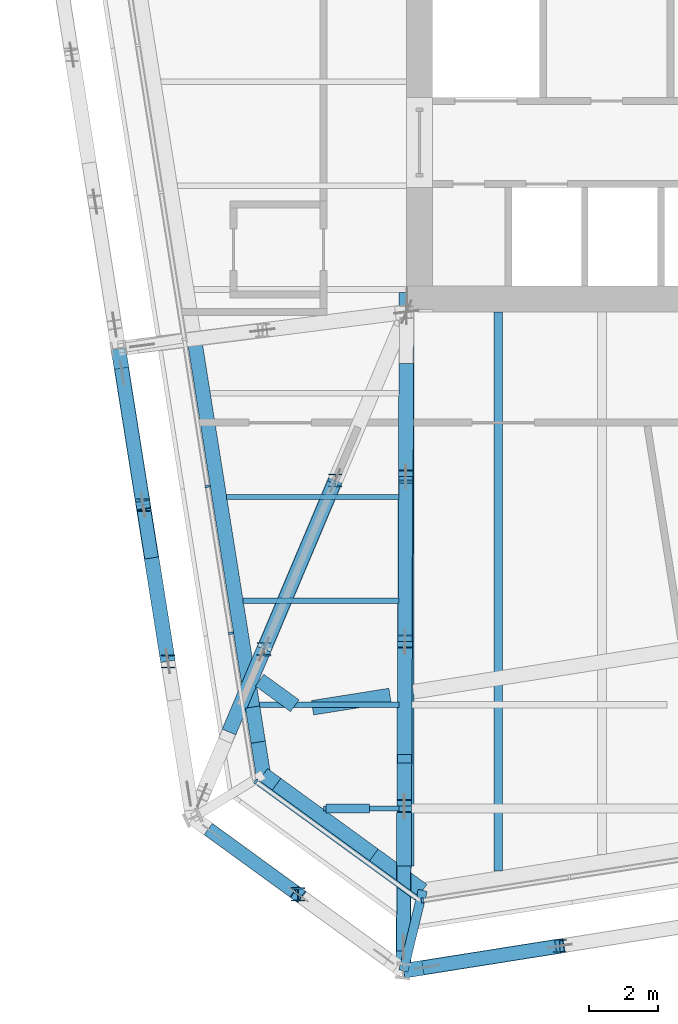
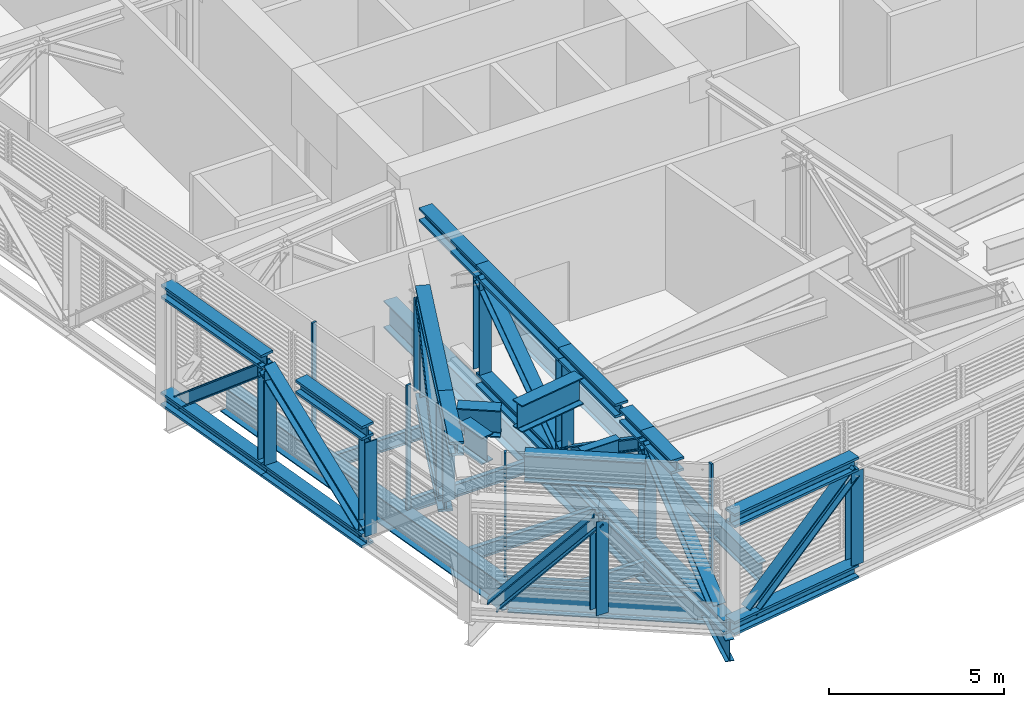
# One storey, part 2 of 31: 31 beams, 22 members, 3 elements without a shape of their own.
"""IFC4 building model written with IfcOpenShell, lengths in metres."""

from ifc_helpers import new_model, si_unit, direction, frame, origin, origin_2d, place, context, subcontext, project, spatial, rectangle, i_section, extrude, material, layer, layer_set, material_profile, profile_set, type_object, element, aggregate, save


model = new_model("IFC4")

# Units and contexts
model_context = context("Model", 3, precision=1e-05, world=origin(), true_north=direction((0.0, 1.0)))
body_context = subcontext(model_context, "Body", "Model", "MODEL_VIEW")
ifc_project = project(units=[si_unit("LENGTHUNIT", "METRE"), si_unit("AREAUNIT", "SQUARE_METRE"), si_unit("VOLUMEUNIT", "CUBIC_METRE"), si_unit("PLANEANGLEUNIT", "RADIAN"), si_unit("MASSUNIT", "GRAM", prefix="KILO")], contexts=[model_context])

# Site, building, storey
site_placement = place(None, origin())
site = spatial("IfcSite", under=ifc_project, at=site_placement, CompositionType="ELEMENT")
building_placement = place(site_placement, origin())
building = spatial("IfcBuilding", under=site, at=building_placement, Name="Millrace Tower", CompositionType="ELEMENT")
storey_placement = place(building_placement, frame((0.0, 0.0, 195.60009765625)))
storey = spatial("IfcBuildingStorey", under=building, at=storey_placement, Name="L44", CompositionType="ELEMENT", Elevation=195.60009765625)

# Beams
ifc_material_1 = material(Name="Steel ASTM A992 Grade 50", Category="steel")
ifc_material_profile_1 = material_profile(ifc_material_1, i_section(OverallWidth=0.4267578125, OverallDepth=0.482666015625, WebThickness=0.05126953125, FlangeThickness=0.08154296875, FilletRadius=0.01513671875, at=origin_2d()))
ifc_profile_set_1 = profile_set([ifc_material_profile_1], Name="Steel ASTM A992 Grade 50")
beam_type_1 = type_object("IfcBeamType", Name="Belt truss chord W14x455", PredefinedType="BEAM", material=ifc_profile_set_1)
for number, where, z_axis, x_axis, name in (
    (1, (-14.740966796875, -28.692626953125, 0.2412109375), (0.987689751328, 0.156425557764, 0.0), (-0.156425557764, 0.987689751328, 0.0), "BLT-L44-R02-B01"),
    (2, (-22.97705078125, -10.709716796875, 0.2412109375), (0.156425557764, -0.987689751328, 0.0), (0.987689751328, 0.156425557764, 0.0), "BLT-L44-R16-B01"),
    (3, (-22.26123046875, -15.2294921875, 0.2412109375), (0.156425557764, -0.987689751328, 0.0), (0.987689751328, 0.156425557764, 0.0), "BLT-L44-R16-B02"),
):
    element("IfcBeam", number, at=place(storey_placement, frame(where, z_axis=z_axis, x_axis=x_axis)), inside=storey, type_object=beam_type_1, Name=name, PredefinedType="BEAM", context=body_context, shape_type="SweptSolid", body=[
        extrude(i_section(OverallWidth=0.4267578125, OverallDepth=0.482666015625, WebThickness=0.05126953125, FlangeThickness=0.08154296875, FilletRadius=0.01513671875, at=origin_2d()), origin(), (0.0, 0.0, 1.0), 4.576171875),
    ])
for number, where, z_axis, x_axis, name in (
    (4, (-14.73095703125, -28.691162109375, 3.99853515625), (0.987685675151, 0.156451293065, 0.0), (-0.156451293065, 0.987685675151, 0.0), "BLT-L44-R02-T01"),
    (5, (-22.9755859375, -10.7197265625, 3.99853515625), (0.156451293065, -0.987685675151, 0.0), (0.987685675151, 0.156451293065, 0.0), "BLT-L44-R16-T01"),
):
    element("IfcBeam", number, at=place(storey_placement, frame(where, z_axis=z_axis, x_axis=x_axis)), inside=storey, type_object=beam_type_1, Name=name, PredefinedType="BEAM", context=body_context, shape_type="SweptSolid", body=[
        extrude(i_section(OverallWidth=0.4267578125, OverallDepth=0.482666015625, WebThickness=0.05126953125, FlangeThickness=0.08154296875, FilletRadius=0.01513671875, at=origin_2d()), origin(), (0.0, 0.0, 1.0), 4.56591796875),
    ])
beam_1_placement = place(storey_placement, frame((-22.018798828125, -16.760009765625, 3.99853515625), z_axis=(0.156414076564, -0.987691569597, 0.0), x_axis=(0.987691569597, 0.156414076564, 0.0)))
element("IfcBeam", 6, at=beam_1_placement, inside=storey, type_object=beam_type_1, Name="BLT-L44-R16-T02", PredefinedType="BEAM", context=body_context, shape_type="SweptSolid", body=[
    extrude(i_section(OverallWidth=0.4267578125, OverallDepth=0.482666015625, WebThickness=0.05126953125, FlangeThickness=0.08154296875, FilletRadius=0.01513671875, at=origin_2d()), origin(), (0.0, 0.0, 1.0), 3.026611328125),
])

# Members
ifc_material_2 = material(Name="Steel ASTM A992 Grade 50", Category="steel")
ifc_material_profile_2 = material_profile(ifc_material_2, i_section(OverallWidth=0.398681640625, OverallDepth=0.393798828125, WebThickness=0.022705078125, FlangeThickness=0.03662109375, FilletRadius=0.01513671875, at=origin_2d()))
ifc_profile_set_2 = profile_set([ifc_material_profile_2], Name="Steel ASTM A992 Grade 50")
member_type_1 = type_object("IfcMemberType", Name="Belt truss diagonal W14x193", PredefinedType="BRACE", material=ifc_profile_set_2)
member_1_placement = place(storey_placement, frame((-20.26318359375, -24.680419921875, 0.482421875), z_axis=(0.552620048987, -0.401534272047, 0.730329589863), x_axis=(0.587816204595, 0.808994505306, 0.0)))
element("IfcMember", 7, at=member_1_placement, inside=storey, type_object=member_type_1, Name="BLT-L44-R01-D01", PredefinedType="BRACE", context=body_context, shape_type="SweptSolid", body=[
    extrude(i_section(OverallWidth=0.398681640625, OverallDepth=0.393798828125, WebThickness=0.022705078125, FlangeThickness=0.03662109375, FilletRadius=0.01513671875, at=origin_2d()), origin(), (0.0, 0.0, 1.0), 4.484130859375),
])
member_2_placement = place(storey_placement, frame((-14.049560546875, -28.583251953125, 0.482421875), z_axis=(0.754452976838, 0.119511586918, 0.64538181438), x_axis=(-0.156457420202, 0.987684704581, 0.0)))
element("IfcMember", 8, at=member_2_placement, inside=storey, type_object=member_type_1, Name="BLT-L44-R02-D01", PredefinedType="BRACE", context=body_context, shape_type="SweptSolid", body=[
    extrude(i_section(OverallWidth=0.398681640625, OverallDepth=0.393798828125, WebThickness=0.022705078125, FlangeThickness=0.03662109375, FilletRadius=0.01513671875, at=origin_2d()), origin(), (0.0, 0.0, 1.0), 5.074462890625),
])
member_3_placement = place(storey_placement, frame((-22.867431640625, -11.401123046875, 0.482421875), z_axis=(0.119464161147, -0.754457314112, 0.645385524616), x_axis=(0.987694436043, 0.156395975046, 0.0)))
element("IfcMember", 9, at=member_3_placement, inside=storey, type_object=member_type_1, Name="BLT-L44-R16-D01", PredefinedType="BRACE", context=body_context, shape_type="SweptSolid", body=[
    extrude(i_section(OverallWidth=0.398681640625, OverallDepth=0.393798828125, WebThickness=0.022705078125, FlangeThickness=0.03662109375, FilletRadius=0.01513671875, at=origin_2d()), origin(), (0.0, 0.0, 1.0), 5.07421875),
])
member_4_placement = place(storey_placement, frame((-21.54541015625, -19.749267578125, 0.482421875), z_axis=(-0.127206441439, 0.803196742958, 0.581973808137), x_axis=(-0.987689751328, -0.156425557764, 0.0)))
element("IfcMember", 10, at=member_4_placement, inside=storey, type_object=member_type_1, Name="BLT-L44-R16-D02", PredefinedType="BRACE", context=body_context, shape_type="SweptSolid", body=[
    extrude(i_section(OverallWidth=0.398681640625, OverallDepth=0.393798828125, WebThickness=0.022705078125, FlangeThickness=0.03662109375, FilletRadius=0.01513671875, at=origin_2d()), origin(), (0.0, 0.0, 1.0), 5.627197265625),
])
ifc_material_3 = material(Name="Steel ASTM A992 Grade 50", Category="steel")
ifc_material_profile_3 = material_profile(ifc_material_3, i_section(OverallWidth=0.396240234375, OverallDepth=0.381103515625, WebThickness=0.018798828125, FlangeThickness=0.0302734375, FilletRadius=0.01513671875, at=origin_2d()))
ifc_profile_set_3 = profile_set([ifc_material_profile_3], Name="Steel ASTM A992 Grade 50")
member_type_2 = type_object("IfcMemberType", Name="Belt truss post W14x159", PredefinedType="POST", material=ifc_profile_set_3)
for number, where, z_axis, x_axis, name in (
    (11, (-17.78515625, -26.48095703125, 0.482421875), (0.0, 0.0, 1.0), (1.0, 0.0, 0.0), "BLT-L44-R01-V01"),
    (12, (-10.22119140625, -27.976806640625, 0.482421875), (0.0, 0.0, 1.0), (1.0, 0.0, 0.0), "BLT-L44-R02-V01"),
    (13, (-22.26123046875, -15.2294921875, 0.482421875), (0.0, 0.0, 1.0), (1.0, 0.0, 0.0), "BLT-L44-R16-V01"),
    (14, (-21.54541015625, -19.749267578125, 0.482421875), (0.0, 0.0, 1.0), (1.0, 0.0, 0.0), "BLT-L44-R16-V02"),
):
    element("IfcMember", number, at=place(storey_placement, frame(where, z_axis=z_axis, x_axis=x_axis)), inside=storey, type_object=member_type_2, Name=name, PredefinedType="POST", context=body_context, shape_type="SweptSolid", body=[
        extrude(i_section(OverallWidth=0.396240234375, OverallDepth=0.381103515625, WebThickness=0.018798828125, FlangeThickness=0.0302734375, FilletRadius=0.01513671875, at=origin_2d()), origin(), (0.0, 0.0, 1.0), 3.27490234375),
    ])

# Curtain wall, member
ifc_material_4 = material(Name="Aluminium and glass", Category="aluminium")
ifc_layer = layer(ifc_material_4, 0.14990234375)
ifc_layer_set = layer_set([ifc_layer], Name="Aluminium and glass")
curtain_wall_type = type_object("IfcCurtainWallType", Name="CW-5 truss and plant storey louvred infill", PredefinedType="NOTDEFINED", material=ifc_layer_set)
placement = place(storey_placement, origin())
curtain_wall_1 = element("IfcCurtainWall", 15, at=placement, inside=storey, type_object=curtain_wall_type, Name="Curtain wall C-F01 L44", PredefinedType="NOTDEFINED")
ifc_material_5 = material(Name="Aluminium", Category="aluminium")
ifc_material_profile_4 = material_profile(ifc_material_5, rectangle(XDim=0.06494140625, YDim=0.14990234375, at=origin_2d()))
ifc_profile_set_4 = profile_set([ifc_material_profile_4], Name="Aluminium")
member_type_3 = type_object("IfcMemberType", Name="CW-5 truss and plant storey louvred infill mullion", PredefinedType="MULLION", material=ifc_profile_set_4)
member_5_placement = place(storey_placement, frame((-19.00146484375, -23.2177734375, 0.139892578125), z_axis=(0.0, 0.0, 1.0), x_axis=(0.809016981623, -0.587785269844, 0.0)))
member_5 = element("IfcMember", 16, at=member_5_placement, type_object=member_type_3, Name="CW5 mullion C-F01.1", PredefinedType="MULLION", context=body_context, shape_type="SweptSolid", body=[
    extrude(rectangle(XDim=0.06494140625, YDim=0.14990234375, at=origin_2d()), origin(), (0.0, 0.0, 1.0), 4.360107421875),
])

curtain_wall_2 = element("IfcCurtainWall", 17, at=placement, inside=storey, type_object=curtain_wall_type, Name="Curtain wall C-F02 L44", PredefinedType="NOTDEFINED")
member_6_placement = place(storey_placement, frame((-14.191650390625, -26.65673828125, 0.139892578125), z_axis=(0.0, 0.0, 1.0), x_axis=(0.98768833929, 0.15643447328, 0.0)))
member_6 = element("IfcMember", 18, at=member_6_placement, type_object=member_type_3, Name="CW5 mullion C-F02.1", PredefinedType="MULLION", context=body_context, shape_type="SweptSolid", body=[
    extrude(rectangle(XDim=0.06494140625, YDim=0.14990234375, at=origin_2d()), origin(), (0.0, 0.0, 1.0), 4.360107421875),
])
aggregate(curtain_wall_2, [member_6])

# Curtain wall, members
curtain_wall_3 = element("IfcCurtainWall", 19, at=placement, inside=storey, type_object=curtain_wall_type, Name="Curtain wall C-F08 L44", PredefinedType="NOTDEFINED")
member_7_placement = place(storey_placement, frame((-20.39794921875, -14.687744140625, 0.139892578125), z_axis=(0.0, 0.0, 1.0), x_axis=(0.15643447328, -0.98768833929, 0.0)))
member_7 = element("IfcMember", 20, at=member_7_placement, type_object=member_type_3, Name="CW5 mullion C-F08.8", PredefinedType="MULLION", context=body_context, shape_type="SweptSolid", body=[
    extrude(rectangle(XDim=0.06494140625, YDim=0.14990234375, at=origin_2d()), origin(), (0.0, 0.0, 1.0), 4.199951171875),
])
member_8_placement = place(storey_placement, frame((-19.725341796875, -18.934814453125, 0.139892578125), z_axis=(0.0, 0.0, 1.0), x_axis=(0.15643447328, -0.98768833929, 0.0)))
member_8 = element("IfcMember", 21, at=member_8_placement, type_object=member_type_3, Name="CW5 mullion C-F08.9", PredefinedType="MULLION", context=body_context, shape_type="SweptSolid", body=[
    extrude(rectangle(XDim=0.06494140625, YDim=0.14990234375, at=origin_2d()), origin(), (0.0, 0.0, 1.0), 4.360107421875),
])
aggregate(curtain_wall_3, [member_7, member_8])

# Member
ifc_material_6 = material(Name="Aluminium", Category="aluminium")
ifc_material_profile_5 = material_profile(ifc_material_6, rectangle(XDim=0.14990234375, YDim=0.139892578125, at=origin_2d()))
ifc_profile_set_5 = profile_set([ifc_material_profile_5], Name="Aluminium")
member_type_4 = type_object("IfcMemberType", Name="CW-5 truss and plant storey louvred infill transom", PredefinedType="USERDEFINED", material=ifc_profile_set_5)
member_9_placement = place(storey_placement, frame((-18.94677734375, -23.25732421875, 0.06982421875), z_axis=(0.808998591139, -0.587810581339, 0.0), x_axis=(0.587810581339, 0.808998591139, 0.0)))
member_9 = element("IfcMember", 22, at=member_9_placement, type_object=member_type_4, Name="CW5 transom C-F01.1", ObjectType="TRANSOM", PredefinedType="USERDEFINED", context=body_context, shape_type="SweptSolid", body=[
    extrude(rectangle(XDim=0.14990234375, YDim=0.139892578125, at=origin_2d()), origin(), (0.0, 0.0, 1.0), 5.6689453125),
])

aggregate(curtain_wall_1, [member_5, member_9])

# Beams
ifc_material_7 = material(Name="Steel ASTM A992 Grade 50", Category="steel")
ifc_material_profile_6 = material_profile(ifc_material_7, i_section(OverallWidth=0.15234375, OverallDepth=0.449462890625, WebThickness=0.007568359375, FlangeThickness=0.0107421875, FilletRadius=0.01025390625, at=origin_2d()))
ifc_profile_set_6 = profile_set([ifc_material_profile_6], Name="Steel ASTM A992 Grade 50")
beam_type_2 = type_object("IfcBeamType", Name="Floor beam W18x35", PredefinedType="JOIST", material=ifc_profile_set_6)
beam_2_placement = place(storey_placement, frame((-18.8955078125, -21.0, -0.474853515625), z_axis=(1.0, 0.0, 0.0), x_axis=(0.0, 1.0, 0.0)))
element("IfcBeam", 23, at=beam_2_placement, inside=storey, type_object=beam_type_2, Name="BM-C-L44-S1-S002", PredefinedType="JOIST", context=body_context, shape_type="SweptSolid", body=[
    extrude(i_section(OverallWidth=0.15234375, OverallDepth=0.449462890625, WebThickness=0.007568359375, FlangeThickness=0.0107421875, FilletRadius=0.01025390625, at=origin_2d()), origin(), (0.0, 0.0, 1.0), 4.033447265625),
])
beam_3_placement = place(storey_placement, frame((-19.37060546875, -18.0, -0.474853515625), z_axis=(1.0, 0.0, 0.0), x_axis=(0.0, 1.0, 0.0)))
element("IfcBeam", 24, at=beam_3_placement, inside=storey, type_object=beam_type_2, Name="BM-C-L44-S1-S004", PredefinedType="JOIST", context=body_context, shape_type="SweptSolid", body=[
    extrude(i_section(OverallWidth=0.15234375, OverallDepth=0.449462890625, WebThickness=0.007568359375, FlangeThickness=0.0107421875, FilletRadius=0.01025390625, at=origin_2d()), origin(), (0.0, 0.0, 1.0), 4.508544921875),
])
beam_4_placement = place(storey_placement, frame((-19.845703125, -15.0, -0.474853515625), z_axis=(1.0, 0.0, 0.0), x_axis=(0.0, 1.0, 0.0)))
element("IfcBeam", 25, at=beam_4_placement, inside=storey, type_object=beam_type_2, Name="BM-C-L44-S1-S006", PredefinedType="JOIST", context=body_context, shape_type="SweptSolid", body=[
    extrude(i_section(OverallWidth=0.15234375, OverallDepth=0.449462890625, WebThickness=0.007568359375, FlangeThickness=0.0107421875, FilletRadius=0.01025390625, at=origin_2d()), origin(), (0.0, 0.0, 1.0), 4.983642578125),
])
beam_5_placement = place(storey_placement, frame((-17.0517578125, -24.0, -0.474853515625), z_axis=(1.0, 0.0, 0.0), x_axis=(0.0, 1.0, 0.0)))
element("IfcBeam", 26, at=beam_5_placement, inside=storey, type_object=beam_type_2, Name="BM-C-L44-S1-S001", PredefinedType="JOIST", context=body_context, shape_type="SweptSolid", body=[
    extrude(i_section(OverallWidth=0.15234375, OverallDepth=0.449462890625, WebThickness=0.007568359375, FlangeThickness=0.0107421875, FilletRadius=0.01025390625, at=origin_2d()), origin(), (0.0, 0.0, 1.0), 2.189697265625),
])
ifc_material_8 = material(Name="Steel ASTM A992 Grade 50", Category="steel")
ifc_material_profile_7 = material_profile(ifc_material_8, i_section(OverallWidth=0.256591796875, OverallDepth=0.693359375, WebThickness=0.014404296875, FlangeThickness=0.023681640625, FilletRadius=0.01513671875, at=origin_2d()))
ifc_profile_set_7 = profile_set([ifc_material_profile_7], Name="Steel ASTM A992 Grade 50")
beam_type_3 = type_object("IfcBeamType", Name="Floor beam W27x114", PredefinedType="JOIST", material=ifc_profile_set_7)
beam_6_placement = place(storey_placement, frame((-12.0, -25.806640625, -0.596923828125), z_axis=(0.0, 1.0, 0.0), x_axis=(-1.0, 0.0, 0.0)))
element("IfcBeam", 27, at=beam_6_placement, inside=storey, type_object=beam_type_3, Name="BM-C-L44-S1-S040", PredefinedType="JOIST", context=body_context, shape_type="SweptSolid", body=[
    extrude(i_section(OverallWidth=0.256591796875, OverallDepth=0.693359375, WebThickness=0.014404296875, FlangeThickness=0.023681640625, FilletRadius=0.01513671875, at=origin_2d()), origin(), (0.0, 0.0, 1.0), 16.15673828125),
])
beam_7_placement = place(storey_placement, frame((-16.97998046875, -24.0, 3.9931640625), z_axis=(1.0, 0.0, 0.0), x_axis=(0.0, 1.0, 0.0)))
element("IfcBeam", 28, at=beam_7_placement, inside=storey, type_object=beam_type_3, Name="BM-C-L44-R1-S001-a", PredefinedType="JOIST", context=body_context, shape_type="SweptSolid", body=[
    extrude(i_section(OverallWidth=0.256591796875, OverallDepth=0.693359375, WebThickness=0.014404296875, FlangeThickness=0.023681640625, FilletRadius=0.01513671875, at=origin_2d()), origin(), (0.0, 0.0, 1.0), 1.25927734375),
])
ifc_material_9 = material(Name="Steel ASTM A992 Grade 50", Category="steel")
ifc_material_profile_8 = material_profile(ifc_material_9, i_section(OverallWidth=0.424072265625, OverallDepth=0.947509765625, WebThickness=0.02392578125, FlangeThickness=0.042724609375, FilletRadius=0.024169921875, at=origin_2d()))
ifc_profile_set_8 = profile_set([ifc_material_profile_8], Name="Steel ASTM A992 Grade 50")
beam_type_4 = type_object("IfcBeamType", Name="Girder medium span W36x302", PredefinedType="BEAM", material=ifc_profile_set_8)
beam_8_placement = place(storey_placement, frame((-14.64990234375, -25.665283203125, -0.723876953125), z_axis=(0.0, 1.0, 0.0), x_axis=(-1.0, 0.0, 0.0)))
element("IfcBeam", 29, at=beam_8_placement, inside=storey, type_object=beam_type_4, Name="BM-C-L44-S1-G058", PredefinedType="BEAM", context=body_context, shape_type="SweptSolid", body=[
    extrude(i_section(OverallWidth=0.424072265625, OverallDepth=0.947509765625, WebThickness=0.02392578125, FlangeThickness=0.042724609375, FilletRadius=0.024169921875, at=origin_2d()), origin(), (0.0, 0.0, 1.0), 16.579345703125),
])
ifc_material_10 = material(Name="Steel ASTM A992 Grade 50", Category="steel")
ifc_material_profile_9 = material_profile(ifc_material_10, i_section(OverallWidth=0.2666015625, OverallDepth=0.7568359375, WebThickness=0.013916015625, FlangeThickness=0.019287109375, FilletRadius=0.0166015625, at=origin_2d()))
ifc_profile_set_9 = profile_set([ifc_material_profile_9], Name="Steel ASTM A992 Grade 50")
beam_type_5 = type_object("IfcBeamType", Name="Link beam W30x108", PredefinedType="BEAM", material=ifc_profile_set_9)
beam_9_placement = place(storey_placement, frame((-14.182373046875, -26.36572265625, -0.628662109375), z_axis=(-0.233426972989, -0.97237433547, 0.0), x_axis=(0.97237433547, -0.233426972989, 0.0)))
element("IfcBeam", 30, at=beam_9_placement, inside=storey, type_object=beam_type_5, Name="LNK-C-L44-S1-16", PredefinedType="BEAM", context=body_context, shape_type="SweptSolid", body=[
    extrude(i_section(OverallWidth=0.2666015625, OverallDepth=0.7568359375, WebThickness=0.013916015625, FlangeThickness=0.019287109375, FilletRadius=0.0166015625, at=origin_2d()), origin(), (0.0, 0.0, 1.0), 2.39306640625),
])
ifc_material_11 = material(Name="Steel ASTM A992 Grade 50", Category="steel")
ifc_material_profile_10 = material_profile(ifc_material_11, i_section(OverallWidth=0.4267578125, OverallDepth=0.482666015625, WebThickness=0.05126953125, FlangeThickness=0.08154296875, FilletRadius=0.01513671875, at=origin_2d()))
ifc_profile_set_10 = profile_set([ifc_material_profile_10], Name="Steel ASTM A992 Grade 50")
beam_type_6 = type_object("IfcBeamType", Name="Outrigger truss chord W14x455", PredefinedType="BEAM", material=ifc_profile_set_10)
for number, where, z_axis, x_axis, name in (
    (31, (-16.709716796875, -14.52294921875, 0.2412109375), (-0.38934189697, -0.921093310835, 0.0), (0.921093310835, -0.38934189697, 0.0), "BLT-L44-O01-B02"),
    (32, (-16.709716796875, -14.52294921875, 3.99853515625), (-0.38934189697, -0.921093310835, 0.0), (0.921093310835, -0.38934189697, 0.0), "BLT-L44-O01-T02"),
):
    element("IfcBeam", number, at=place(storey_placement, frame(where, z_axis=z_axis, x_axis=x_axis)), inside=storey, type_object=beam_type_6, Name=name, PredefinedType="BEAM", context=body_context, shape_type="SweptSolid", body=[
        extrude(i_section(OverallWidth=0.4267578125, OverallDepth=0.482666015625, WebThickness=0.05126953125, FlangeThickness=0.08154296875, FilletRadius=0.01513671875, at=origin_2d()), origin(), (0.0, 0.0, 1.0), 5.29052734375),
    ])
for number, where, z_axis, x_axis, name in (
    (33, (-14.6728515625, -14.41064453125, 0.2412109375), (-0.004769176531, -0.999988627413, 0.0), (0.999988627413, -0.004769176531, 0.0), "BLT-L44-O02-B02"),
    (34, (-14.6728515625, -14.41064453125, 3.99853515625), (-0.004769176531, -0.999988627413, 0.0), (0.999988627413, -0.004769176531, 0.0), "BLT-L44-O02-T02"),
):
    element("IfcBeam", number, at=place(storey_placement, frame(where, z_axis=z_axis, x_axis=x_axis)), inside=storey, type_object=beam_type_6, Name=name, PredefinedType="BEAM", context=body_context, shape_type="SweptSolid", body=[
        extrude(i_section(OverallWidth=0.4267578125, OverallDepth=0.482666015625, WebThickness=0.05126953125, FlangeThickness=0.08154296875, FilletRadius=0.01513671875, at=origin_2d()), origin(), (0.0, 0.0, 1.0), 4.7607421875),
    ])
beam_10_placement = place(storey_placement, frame((-14.695556640625, -19.17138671875, 0.2412109375), z_axis=(-0.004769421111, -0.999988626246, 0.0), x_axis=(0.999988626246, -0.004769421111, 0.0)))
element("IfcBeam", 35, at=beam_10_placement, inside=storey, type_object=beam_type_6, Name="BLT-L44-O02-B03", PredefinedType="BEAM", context=body_context, shape_type="SweptSolid", body=[
    extrude(i_section(OverallWidth=0.4267578125, OverallDepth=0.482666015625, WebThickness=0.05126953125, FlangeThickness=0.08154296875, FilletRadius=0.01513671875, at=origin_2d()), origin(), (0.0, 0.0, 1.0), 4.760498046875),
])
beam_11_placement = place(storey_placement, frame((-14.71826171875, -23.931884765625, 0.2412109375), z_axis=(-0.004769176531, -0.999988627413, 0.0), x_axis=(0.999988627413, -0.004769176531, 0.0)))
element("IfcBeam", 36, at=beam_11_placement, inside=storey, type_object=beam_type_6, Name="BLT-L44-O02-B04", PredefinedType="BEAM", context=body_context, shape_type="SweptSolid", body=[
    extrude(i_section(OverallWidth=0.4267578125, OverallDepth=0.482666015625, WebThickness=0.05126953125, FlangeThickness=0.08154296875, FilletRadius=0.01513671875, at=origin_2d()), origin(), (0.0, 0.0, 1.0), 4.7607421875),
])
beam_12_placement = place(storey_placement, frame((-14.695556640625, -19.17138671875, 3.99853515625), z_axis=(-0.004713047078, -0.999988893532, 0.0), x_axis=(0.999988893532, -0.004713047078, 0.0)))
element("IfcBeam", 37, at=beam_12_placement, inside=storey, type_object=beam_type_6, Name="BLT-L44-O02-T03-a", PredefinedType="BEAM", context=body_context, shape_type="SweptSolid", body=[
    extrude(i_section(OverallWidth=0.4267578125, OverallDepth=0.482666015625, WebThickness=0.05126953125, FlangeThickness=0.08154296875, FilletRadius=0.01513671875, at=origin_2d()), origin(), (0.0, 0.0, 1.0), 3.263427734375),
])
beam_13_placement = place(storey_placement, frame((-14.712158203125, -22.69091796875, 3.99853515625), z_axis=(-0.004918295815, -0.99998790511, 0.0), x_axis=(0.99998790511, -0.004918295815, 0.0)))
element("IfcBeam", 38, at=beam_13_placement, inside=storey, type_object=beam_type_6, Name="BLT-L44-O02-T03-b", PredefinedType="BEAM", context=body_context, shape_type="SweptSolid", body=[
    extrude(i_section(OverallWidth=0.4267578125, OverallDepth=0.482666015625, WebThickness=0.05126953125, FlangeThickness=0.08154296875, FilletRadius=0.01513671875, at=origin_2d()), origin(), (0.0, 0.0, 1.0), 1.240966796875),
])
beam_14_placement = place(storey_placement, frame((-18.76953125, -19.39599609375, 3.99853515625), z_axis=(-0.389345801746, -0.921091660294, 0.0), x_axis=(0.921091660294, -0.389345801746, 0.0)))
element("IfcBeam", 39, at=beam_14_placement, inside=storey, type_object=beam_type_6, Name="BLT-L44-O01-T03-a", PredefinedType="BEAM", context=body_context, shape_type="SweptSolid", body=[
    extrude(i_section(OverallWidth=0.4267578125, OverallDepth=0.482666015625, WebThickness=0.05126953125, FlangeThickness=0.08154296875, FilletRadius=0.01513671875, at=origin_2d()), origin(), (0.0, 0.0, 1.0), 2.59912109375),
])
beam_15_placement = place(storey_placement, frame((-14.656982421875, -11.134521484375, 3.99853515625), z_axis=(-0.004843821258, -0.999988268629, 0.0), x_axis=(0.999988268629, -0.004843821258, 0.0)))
element("IfcBeam", 40, at=beam_15_placement, inside=storey, type_object=beam_type_6, Name="BLT-L44-O02-T01", PredefinedType="BEAM", context=body_context, shape_type="SweptSolid", body=[
    extrude(i_section(OverallWidth=0.4267578125, OverallDepth=0.482666015625, WebThickness=0.05126953125, FlangeThickness=0.08154296875, FilletRadius=0.01513671875, at=origin_2d()), origin(), (0.0, 0.0, 1.0), 3.276123046875),
])
beam_16_placement = place(storey_placement, frame((-14.71826171875, -23.931884765625, 3.99853515625), z_axis=(-0.004783961015, -0.999988556793, 0.0), x_axis=(0.999988556793, -0.004783961015, 0.0)))
element("IfcBeam", 41, at=beam_16_placement, inside=storey, type_object=beam_type_6, Name="BLT-L44-O02-T04", PredefinedType="BEAM", context=body_context, shape_type="SweptSolid", body=[
    extrude(i_section(OverallWidth=0.4267578125, OverallDepth=0.482666015625, WebThickness=0.05126953125, FlangeThickness=0.08154296875, FilletRadius=0.01513671875, at=origin_2d()), origin(), (0.0, 0.0, 1.0), 1.735107421875),
])

# Members
ifc_material_12 = material(Name="Steel ASTM A992 Grade 50", Category="steel")
ifc_material_profile_11 = material_profile(ifc_material_12, i_section(OverallWidth=0.398681640625, OverallDepth=0.393798828125, WebThickness=0.022705078125, FlangeThickness=0.03662109375, FilletRadius=0.01513671875, at=origin_2d()))
ifc_profile_set_11 = profile_set([ifc_material_profile_11], Name="Steel ASTM A992 Grade 50")
member_type_5 = type_object("IfcMemberType", Name="Outrigger truss diagonal W14x193", PredefinedType="BRACE", material=ifc_profile_set_11)
member_10_placement = place(storey_placement, frame((-18.76953125, -19.39599609375, 0.482421875), z_axis=(0.331048631264, 0.78318486192, 0.526334756403), x_axis=(-0.921093310835, 0.38934189697, 0.0)))
element("IfcMember", 42, at=member_10_placement, inside=storey, type_object=member_type_5, Name="BLT-L44-O01-D02", PredefinedType="BRACE", context=body_context, shape_type="SweptSolid", body=[
    extrude(i_section(OverallWidth=0.398681640625, OverallDepth=0.393798828125, WebThickness=0.022705078125, FlangeThickness=0.03662109375, FilletRadius=0.01513671875, at=origin_2d()), origin(), (0.0, 0.0, 1.0), 6.22216796875),
])
for number, where, z_axis, x_axis, name in (
    (43, (-14.695556640625, -19.17138671875, 0.482421875), (0.003929286577, 0.823882669373, 0.566746775742), (-0.999988627413, 0.004769176531, 0.0), "BLT-L44-O02-D02"),
    (44, (-14.695556640625, -19.17138671875, 0.482421875), (-0.003929423357, -0.823869097105, 0.566766504363), (0.999988626246, -0.004769421111, 0.0), "BLT-L44-O02-D03"),
):
    element("IfcMember", number, at=place(storey_placement, frame(where, z_axis=z_axis, x_axis=x_axis)), inside=storey, type_object=member_type_5, Name=name, PredefinedType="BRACE", context=body_context, shape_type="SweptSolid", body=[
        extrude(i_section(OverallWidth=0.398681640625, OverallDepth=0.393798828125, WebThickness=0.022705078125, FlangeThickness=0.03662109375, FilletRadius=0.01513671875, at=origin_2d()), origin(), (0.0, 0.0, 1.0), 5.7783203125),
    ])
member_11_placement = place(storey_placement, frame((-14.737548828125, -27.99267578125, 0.482421875), z_axis=(0.003697089241, 0.778401080411, 0.627756393473), x_axis=(-0.999988720868, 0.004749540609, 0.0)))
element("IfcMember", 45, at=member_11_placement, inside=storey, type_object=member_type_5, Name="BLT-L44-O02-D04", PredefinedType="BRACE", context=body_context, shape_type="SweptSolid", body=[
    extrude(i_section(OverallWidth=0.398681640625, OverallDepth=0.393798828125, WebThickness=0.022705078125, FlangeThickness=0.03662109375, FilletRadius=0.01513671875, at=origin_2d()), origin(), (0.0, 0.0, 1.0), 5.216796875),
])
ifc_material_13 = material(Name="Steel ASTM A992 Grade 50", Category="steel")
ifc_material_profile_12 = material_profile(ifc_material_13, i_section(OverallWidth=0.396240234375, OverallDepth=0.381103515625, WebThickness=0.018798828125, FlangeThickness=0.0302734375, FilletRadius=0.01513671875, at=origin_2d()))
ifc_profile_set_12 = profile_set([ifc_material_profile_12], Name="Steel ASTM A992 Grade 50")
member_type_6 = type_object("IfcMemberType", Name="Outrigger truss post W14x159", PredefinedType="POST", material=ifc_profile_set_12)
for number, where, z_axis, x_axis, name in (
    (46, (-16.709716796875, -14.52294921875, 0.482421875), (0.0, 0.0, 1.0), (1.0, 0.0, 0.0), "BLT-L44-O01-V01"),
    (47, (-18.76953125, -19.39599609375, 0.482421875), (0.0, 0.0, 1.0), (1.0, 0.0, 0.0), "BLT-L44-O01-V02"),
    (48, (-14.6728515625, -14.41064453125, 0.482421875), (0.0, 0.0, 1.0), (1.0, 0.0, 0.0), "BLT-L44-O02-V01"),
    (49, (-14.695556640625, -19.17138671875, 0.482421875), (0.0, 0.0, 1.0), (1.0, 0.0, 0.0), "BLT-L44-O02-V02"),
    (50, (-14.71826171875, -23.931884765625, 0.482421875), (0.0, 0.0, 1.0), (1.0, 0.0, 0.0), "BLT-L44-O02-V03"),
):
    element("IfcMember", number, at=place(storey_placement, frame(where, z_axis=z_axis, x_axis=x_axis)), inside=storey, type_object=member_type_6, Name=name, PredefinedType="POST", context=body_context, shape_type="SweptSolid", body=[
        extrude(i_section(OverallWidth=0.396240234375, OverallDepth=0.381103515625, WebThickness=0.018798828125, FlangeThickness=0.0302734375, FilletRadius=0.01513671875, at=origin_2d()), origin(), (0.0, 0.0, 1.0), 3.27490234375),
    ])

# Beams
ifc_material_14 = material(Name="Steel ASTM A992 Grade 50", Category="steel")
ifc_material_profile_13 = material_profile(ifc_material_14, i_section(OverallWidth=0.421630859375, OverallDepth=0.937255859375, WebThickness=0.021240234375, FlangeThickness=0.03662109375, FilletRadius=0.024169921875, at=origin_2d()))
ifc_profile_set_13 = profile_set([ifc_material_profile_13], Name="Steel ASTM A992 Grade 50")
beam_type_7 = type_object("IfcBeamType", Name="Ring beam medium span W36x262", PredefinedType="SPANDREL", material=ifc_profile_set_13)
beam_17_placement = place(storey_placement, frame((-18.7890625, -23.018798828125, -0.71875), z_axis=(-0.156437114518, 0.987687920955, 0.0), x_axis=(-0.987687920955, -0.156437114518, 0.0)))
element("IfcBeam", 51, at=beam_17_placement, inside=storey, type_object=beam_type_7, Name="RNG-C-L44-S1-01", PredefinedType="SPANDREL", context=body_context, shape_type="SweptSolid", body=[
    extrude(i_section(OverallWidth=0.421630859375, OverallDepth=0.937255859375, WebThickness=0.021240234375, FlangeThickness=0.03662109375, FilletRadius=0.024169921875, at=origin_2d()), origin(), (0.0, 0.0, 1.0), 12.812744140625),
])
ifc_material_15 = material(Name="Steel ASTM A992 Grade 50", Category="steel")
ifc_material_profile_14 = material_profile(ifc_material_15, i_section(OverallWidth=0.421630859375, OverallDepth=0.937255859375, WebThickness=0.021240234375, FlangeThickness=0.03662109375, FilletRadius=0.024169921875, at=origin_2d()))
ifc_profile_set_14 = profile_set([ifc_material_profile_14], Name="Steel ASTM A992 Grade 50")
beam_type_8 = type_object("IfcBeamType", Name="Ring beam short span W36x262", PredefinedType="SPANDREL", material=ifc_profile_set_14)
beam_18_placement = place(storey_placement, frame((-14.182373046875, -26.36572265625, -0.71875), z_axis=(-0.809019664471, 0.587781577203, 0.0), x_axis=(-0.587781577203, -0.809019664471, 0.0)))
element("IfcBeam", 52, at=beam_18_placement, inside=storey, type_object=beam_type_8, Name="RNG-C-L44-S1-16", PredefinedType="SPANDREL", context=body_context, shape_type="SweptSolid", body=[
    extrude(i_section(OverallWidth=0.421630859375, OverallDepth=0.937255859375, WebThickness=0.021240234375, FlangeThickness=0.03662109375, FilletRadius=0.024169921875, at=origin_2d()), origin(), (0.0, 0.0, 1.0), 5.694091796875),
])
beam_19_placement = place(storey_placement, frame((-18.937255859375, -22.082763671875, 3.871337890625), z_axis=(-0.156414209141, 0.987691548602, 0.0), x_axis=(-0.987691548602, -0.156414209141, 0.0)))
element("IfcBeam", 53, at=beam_19_placement, inside=storey, type_object=beam_type_8, Name="RNG-C-L44-R1-09", PredefinedType="SPANDREL", context=body_context, shape_type="SweptSolid", body=[
    extrude(i_section(OverallWidth=0.421630859375, OverallDepth=0.937255859375, WebThickness=0.021240234375, FlangeThickness=0.03662109375, FilletRadius=0.024169921875, at=origin_2d()), origin(), (0.0, 0.0, 1.0), 1.027099609375),
])
beam_20_placement = place(storey_placement, frame((-18.89599609375, -20.29296875, 3.871337890625), z_axis=(0.809055550273, -0.587732180991, 0.0), x_axis=(0.587732180991, 0.809055550273, 0.0)))
element("IfcBeam", 54, at=beam_20_placement, inside=storey, type_object=beam_type_8, Name="RNG-C-L44-R1-10", PredefinedType="SPANDREL", context=body_context, shape_type="SweptSolid", body=[
    extrude(i_section(OverallWidth=0.421630859375, OverallDepth=0.937255859375, WebThickness=0.021240234375, FlangeThickness=0.03662109375, FilletRadius=0.024169921875, at=origin_2d()), origin(), (0.0, 0.0, 1.0), 1.25537109375),
])
beam_21_placement = place(storey_placement, frame((-17.368408203125, -21.089111328125, 3.871337890625), z_axis=(0.987687827949, 0.156437701725, 0.0), x_axis=(-0.156437701725, 0.987687827949, 0.0)))
element("IfcBeam", 55, at=beam_21_placement, inside=storey, type_object=beam_type_8, Name="RNG-C-L44-R1-11-a", PredefinedType="SPANDREL", context=body_context, shape_type="SweptSolid", body=[
    extrude(i_section(OverallWidth=0.421630859375, OverallDepth=0.937255859375, WebThickness=0.021240234375, FlangeThickness=0.03662109375, FilletRadius=0.024169921875, at=origin_2d()), origin(), (0.0, 0.0, 1.0), 2.26904296875),
])
beam_22_placement = place(storey_placement, frame((-15.592529296875, -25.34130859375, 3.871337890625), z_axis=(-0.809009310944, 0.587795827483, 0.0), x_axis=(-0.587795827483, -0.809009310944, 0.0)))
element("IfcBeam", 56, at=beam_22_placement, inside=storey, type_object=beam_type_8, Name="RNG-C-L44-R1-08", PredefinedType="SPANDREL", context=body_context, shape_type="SweptSolid", body=[
    extrude(i_section(OverallWidth=0.421630859375, OverallDepth=0.937255859375, WebThickness=0.021240234375, FlangeThickness=0.03662109375, FilletRadius=0.024169921875, at=origin_2d()), origin(), (0.0, 0.0, 1.0), 3.4765625),
])

save(model, "model.ifc")
